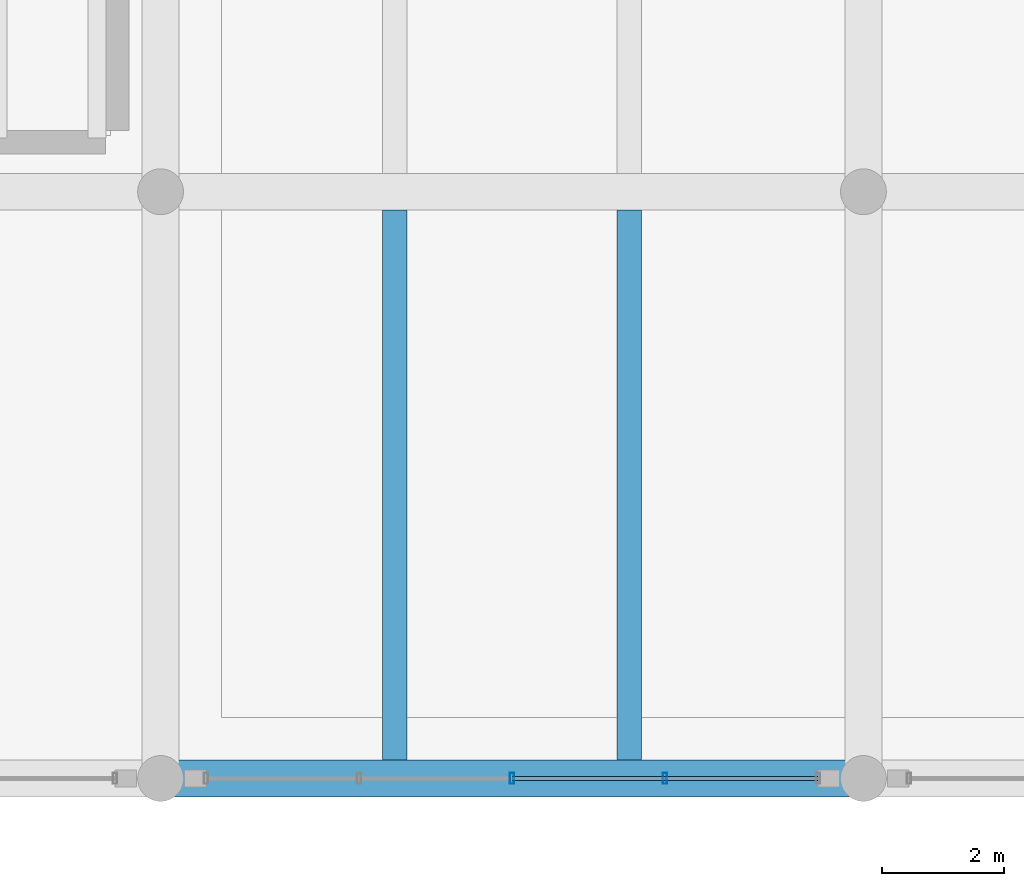
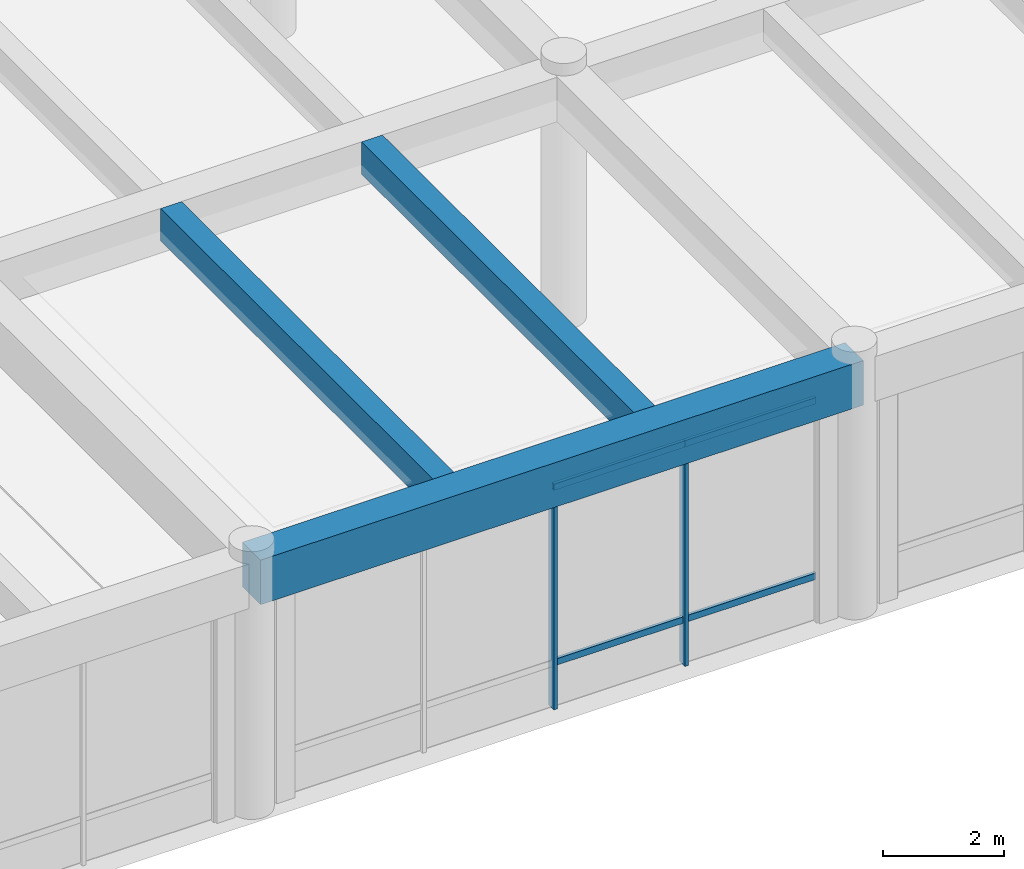
# One storey, part 26 of 148: 6 members, 3 beams, 1 element without a shape of its own.
"""IFC4 building model written with IfcOpenShell, lengths in metres."""

from ifc_helpers import new_model, si_unit, direction, frame, origin, origin_2d, place, context, subcontext, project, spatial, rectangle, hollow_rectangle, extrude, material, material_profile, profile_set, type_object, element, aggregate, save


model = new_model("IFC4")

# Units and contexts
model_context = context("Model", 3, precision=1e-05, world=origin(), true_north=direction((0.0, 1.0)))
body_context = subcontext(model_context, "Body", "Model", "MODEL_VIEW")
ifc_project = project(units=[si_unit("LENGTHUNIT", "METRE"), si_unit("AREAUNIT", "SQUARE_METRE"), si_unit("VOLUMEUNIT", "CUBIC_METRE"), si_unit("PLANEANGLEUNIT", "RADIAN"), si_unit("MASSUNIT", "GRAM", prefix="KILO")], contexts=[model_context])

# Site, building, storey
site_placement = place(None, origin())
site = spatial("IfcSite", under=ifc_project, at=site_placement, CompositionType="ELEMENT")
building_placement = place(site_placement, origin())
building = spatial("IfcBuilding", under=site, at=building_placement, Name="Ologun Quay Terminus", CompositionType="ELEMENT")
storey_placement = place(building_placement, frame((0.0, 0.0, 8.39990234375)))
storey = spatial("IfcBuildingStorey", under=building, at=storey_placement, Name="L02", CompositionType="ELEMENT", Elevation=8.39990234375)

# Curtain wall, members
ifc_material_1 = material(Name="Aluminium 6063-T6", Category="aluminium")
curtain_wall_type = type_object("IfcCurtainWallType", Name="Concourse Departure Curtain Wall 10700x4950", PredefinedType="USERDEFINED", material=ifc_material_1)
curtain_wall_placement = place(storey_placement, origin())
curtain_wall = element("IfcCurtainWall", 1, at=curtain_wall_placement, inside=storey, type_object=curtain_wall_type, Name="CW-05 Curtain Wall CW-L02-025", ObjectType="UNITISED CURTAIN WALL", PredefinedType="USERDEFINED")
ifc_material_2 = material(Name="Aluminium 6063-T6", Category="aluminium")
ifc_material_profile_1 = material_profile(ifc_material_2, hollow_rectangle(XDim=0.070068359375, YDim=0.179931640625, WallThickness=0.0048828125, at=origin_2d()), Name="ALU 180x70x5")
ifc_profile_set_1 = profile_set([ifc_material_profile_1], Name="Aluminium 6063-T6")
member_type_1 = type_object("IfcMemberType", Name="Curtain Wall Heavy Mullion 180x70", PredefinedType="MULLION", material=ifc_profile_set_1)
member_1_placement = place(storey_placement, frame((74.75, 8.0, 0.0), z_axis=(0.0, 0.0, 1.0), x_axis=(1.0, 0.0, 0.0)))
member_1 = element("IfcMember", 2, at=member_1_placement, type_object=member_type_1, Name="CW-L02-025 Mullion 3", PredefinedType="MULLION", context=body_context, shape_type="SweptSolid", body=[
    extrude(hollow_rectangle(XDim=0.070068359375, YDim=0.179931640625, WallThickness=0.0048828125, at=origin_2d()), origin(), (0.0, 0.0, 1.0), 5.14013671875),
])
member_2_placement = place(storey_placement, frame((77.25244140625, 8.0, 0.0), z_axis=(0.0, 0.0, 1.0), x_axis=(1.0, 0.0, 0.0)))
member_2 = element("IfcMember", 3, at=member_2_placement, type_object=member_type_1, Name="CW-L02-025 Mullion 4", PredefinedType="MULLION", context=body_context, shape_type="SweptSolid", body=[
    extrude(hollow_rectangle(XDim=0.070068359375, YDim=0.179931640625, WallThickness=0.0048828125, at=origin_2d()), origin(), (0.0, 0.0, 1.0), 5.14013671875),
])
ifc_material_3 = material(Name="Aluminium 6063-T6", Category="aluminium")
ifc_material_profile_2 = material_profile(ifc_material_3, hollow_rectangle(XDim=0.06005859375, YDim=0.1298828125, WallThickness=0.00390625, at=origin_2d()), Name="ALU 130x60x4")
ifc_profile_set_2 = profile_set([ifc_material_profile_2], Name="Aluminium 6063-T6")
member_type_2 = type_object("IfcMemberType", Name="Curtain Wall Heavy Transom 130x60", PredefinedType="USERDEFINED", material=ifc_profile_set_2)
member_3_placement = place(storey_placement, frame((74.75, 8.0, 0.900146484375), z_axis=(1.0, 0.0, 0.0), x_axis=(0.0, 1.0, 0.0)))
member_3 = element("IfcMember", 4, at=member_3_placement, type_object=member_type_2, Name="CW-L02-025 Transom B3-1", ObjectType="TRANSOM", PredefinedType="USERDEFINED", context=body_context, shape_type="SweptSolid", body=[
    extrude(hollow_rectangle(XDim=0.06005859375, YDim=0.1298828125, WallThickness=0.00390625, at=origin_2d()), origin(), (0.0, 0.0, 1.0), 2.50244140625),
])
member_4_placement = place(storey_placement, frame((74.75, 8.0, 4.440185546875), z_axis=(1.0, 0.0, 0.0), x_axis=(0.0, 1.0, 0.0)))
member_4 = element("IfcMember", 5, at=member_4_placement, type_object=member_type_2, Name="CW-L02-025 Transom B3-2", ObjectType="TRANSOM", PredefinedType="USERDEFINED", context=body_context, shape_type="SweptSolid", body=[
    extrude(hollow_rectangle(XDim=0.06005859375, YDim=0.1298828125, WallThickness=0.00390625, at=origin_2d()), origin(), (0.0, 0.0, 1.0), 2.50244140625),
])
member_5_placement = place(storey_placement, frame((77.25244140625, 8.0, 0.900146484375), z_axis=(1.0, 0.0, 0.0), x_axis=(0.0, 1.0, 0.0)))
member_5 = element("IfcMember", 6, at=member_5_placement, type_object=member_type_2, Name="CW-L02-025 Transom B4-1", ObjectType="TRANSOM", PredefinedType="USERDEFINED", context=body_context, shape_type="SweptSolid", body=[
    extrude(hollow_rectangle(XDim=0.06005859375, YDim=0.1298828125, WallThickness=0.00390625, at=origin_2d()), origin(), (0.0, 0.0, 1.0), 2.50244140625),
])
member_6_placement = place(storey_placement, frame((77.25244140625, 8.0, 4.440185546875), z_axis=(1.0, 0.0, 0.0), x_axis=(0.0, 1.0, 0.0)))
member_6 = element("IfcMember", 7, at=member_6_placement, type_object=member_type_2, Name="CW-L02-025 Transom B4-2", ObjectType="TRANSOM", PredefinedType="USERDEFINED", context=body_context, shape_type="SweptSolid", body=[
    extrude(hollow_rectangle(XDim=0.06005859375, YDim=0.1298828125, WallThickness=0.00390625, at=origin_2d()), origin(), (0.0, 0.0, 1.0), 2.50244140625),
])
aggregate(curtain_wall, [member_1, member_2, member_3, member_4, member_5, member_6])

# Beams
ifc_material_4 = material(Name="Concrete C40/50", Category="concrete")
ifc_material_profile_3 = material_profile(ifc_material_4, rectangle(XDim=0.60009765625, YDim=0.89990234375, at=origin_2d()), Name="RC 600x900")
ifc_profile_set_3 = profile_set([ifc_material_profile_3], Name="Concrete C40/50")
beam_type_1 = type_object("IfcBeamType", Name="Station Frame Girder 600x900", PredefinedType="BEAM", material=ifc_profile_set_3)
beam_placement = place(storey_placement, frame((69.0, 8.0, 4.7001953125), z_axis=(1.0, 0.0, 0.0), x_axis=(0.0, 1.0, 0.0)))
element("IfcBeam", 8, at=beam_placement, inside=storey, type_object=beam_type_1, Name="B3 Beam 7/B L02", PredefinedType="BEAM", context=body_context, shape_type="SweptSolid", body=[
    extrude(rectangle(XDim=0.60009765625, YDim=0.89990234375, at=origin_2d()), origin(), (0.0, 0.0, 1.0), 11.5),
])
ifc_material_5 = material(Name="Concrete C40/50", Category="concrete")
ifc_material_profile_4 = material_profile(ifc_material_5, rectangle(XDim=0.39990234375, YDim=0.64990234375, at=origin_2d()), Name="RC 400x650")
ifc_profile_set_4 = profile_set([ifc_material_profile_4], Name="Concrete C40/50")
beam_type_2 = type_object("IfcBeamType", Name="Station Secondary Joist 400x650", PredefinedType="JOIST", material=ifc_profile_set_4)
for number, where, z_axis, x_axis, name in (
    (9, (72.833251953125, 8.300048828125, 4.8251953125), (0.0, 1.0, 0.0), (-1.0, 0.0, 0.0), "J1 Beam 7/B L02"),
    (10, (76.666748046875, 8.300048828125, 4.8251953125), (0.0, 1.0, 0.0), (-1.0, 0.0, 0.0), "J1 Beam 7/B L02"),
):
    element("IfcBeam", number, at=place(storey_placement, frame(where, z_axis=z_axis, x_axis=x_axis)), inside=storey, type_object=beam_type_2, Name=name, PredefinedType="JOIST", context=body_context, shape_type="SweptSolid", body=[
        extrude(rectangle(XDim=0.39990234375, YDim=0.64990234375, at=origin_2d()), origin(), (0.0, 0.0, 1.0), 9.0),
    ])

save(model, "model.ifc")
